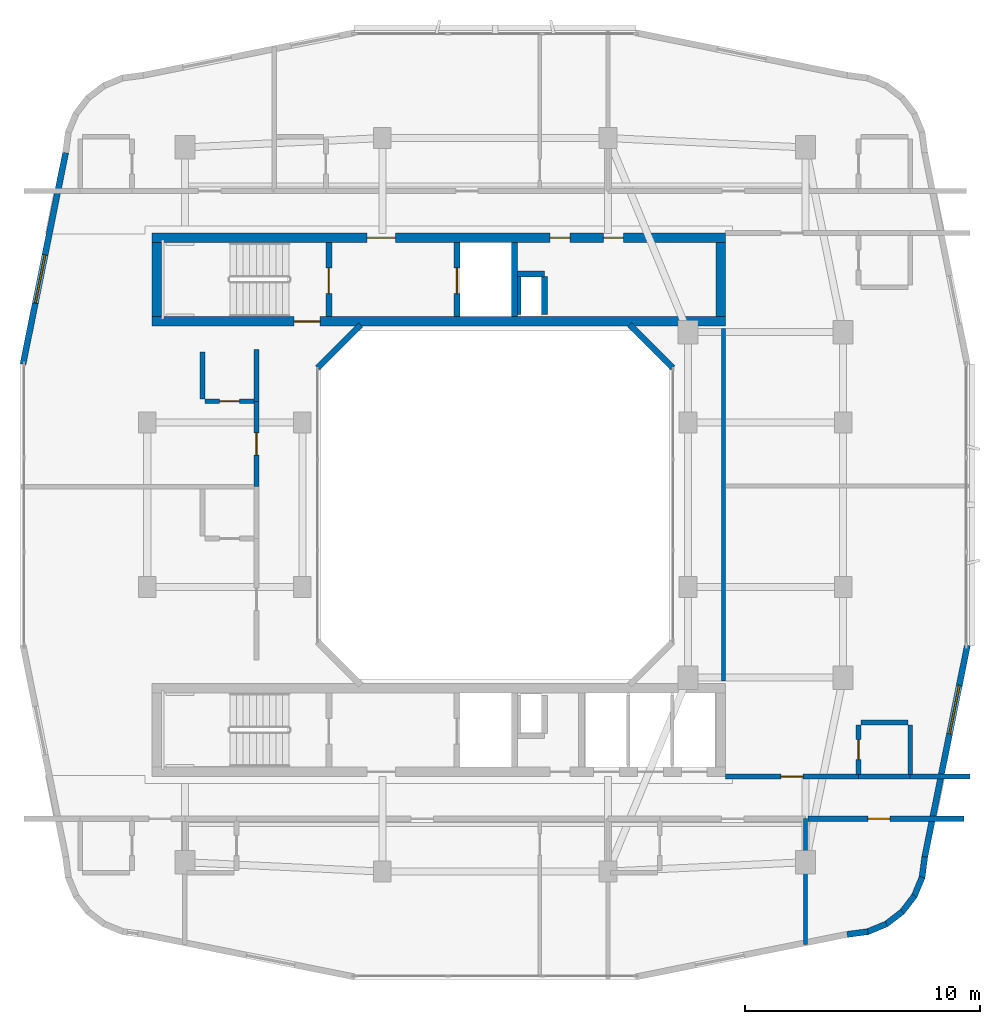
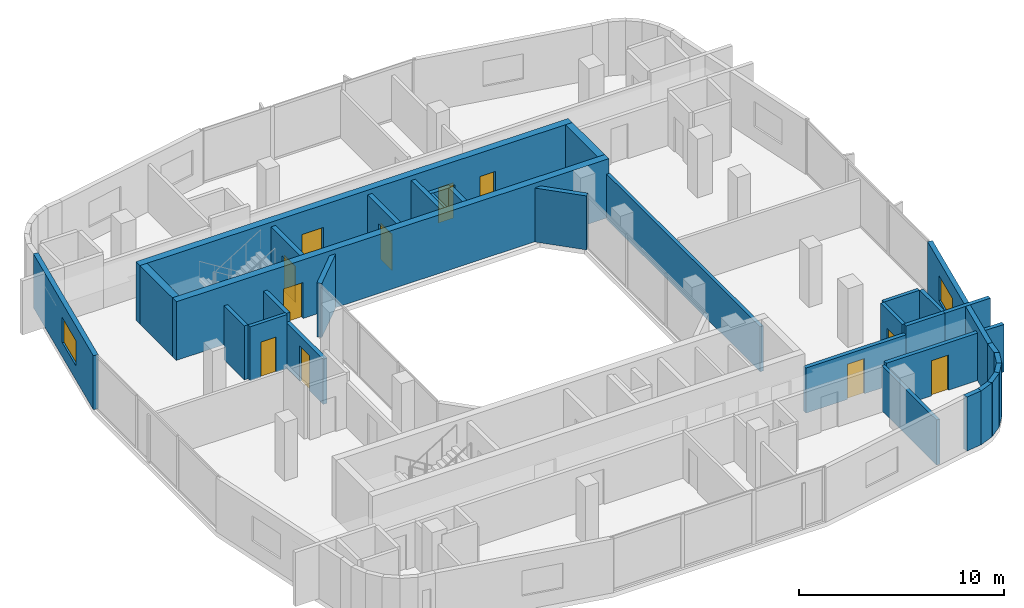
# One storey, part 8 of 14: 33 walls, 11 doors, 2 windows, 13 openings.
"""IFC4 building model written with IfcOpenShell, lengths in metres."""

from ifc_helpers import new_model, si_unit, derived_unit, direction, frame, frame_2d, origin, place, context, subcontext, project, spatial, rectangle, extrude, material, layer, layer_set, type_object, element, fill, save


model = new_model("IFC4")

# Units and contexts
model_context = context("Model", 3, precision=1e-05, world=origin(), true_north=direction((0.0, 1.0)))
body_context = subcontext(model_context, "Body", "Model", "MODEL_VIEW")
ifc_project = project(units=[si_unit("LENGTHUNIT", "METRE"), si_unit("AREAUNIT", "SQUARE_METRE"), si_unit("VOLUMEUNIT", "CUBIC_METRE"), si_unit("PLANEANGLEUNIT", "RADIAN"), si_unit("MASSUNIT", "GRAM", prefix="KILO"), derived_unit("THERMALTRANSMITTANCEUNIT", [(si_unit("POWERUNIT", "WATT"), 1), (si_unit("LENGTHUNIT", "METRE"), -2), (si_unit("THERMODYNAMICTEMPERATUREUNIT", "KELVIN"), -1)])], contexts=[model_context])

# Site, building, storey
site_placement = place(None, origin())
site = spatial("IfcSite", under=ifc_project, at=site_placement, CompositionType="ELEMENT")
building_placement = place(site_placement, origin())
building = spatial("IfcBuilding", under=site, at=building_placement, Name="Kivonza Crest Hotel", CompositionType="ELEMENT")
storey_placement = place(building_placement, frame((0.0, 0.0, 138.0)))
storey = spatial("IfcBuildingStorey", under=building, at=storey_placement, Name="L37", CompositionType="ELEMENT", Elevation=138.0)

# Walls
ifc_material_1 = material(Name="High-density acoustic masonry inter-tenancy wall", Category="masonry")
ifc_layer_1 = layer(ifc_material_1, 0.179931640625)
ifc_layer_set_1 = layer_set([ifc_layer_1], Name="High-density acoustic masonry inter-tenancy wall")
wall_type_1 = type_object("IfcWallType", Name="WL-ACOU-180", PredefinedType="SOLIDWALL", material=ifc_layer_set_1)
wall_1_placement = place(storey_placement, frame((34.199951171875, 6.299072265625, 0.0), z_axis=(0.0, 0.0, 1.0), x_axis=(0.0, 1.0, 0.0)))
element("IfcWall", 1, at=wall_1_placement, inside=storey, type_object=wall_type_1, Name="L37 interior partition WA-L37-T1S-DIV3", PredefinedType="SOLIDWALL", context=body_context, shape_type="SweptSolid", body=[
    extrude(rectangle(XDim=5.350830078125, YDim=0.179931640625, at=frame_2d((2.67529296875, 0.0))), origin(), (0.0, 0.0, 1.0), 2.695068359375),
])
wall_2_placement = place(storey_placement, frame((30.7099609375, 17.5, 0.0), z_axis=(0.0, 0.0, 1.0), x_axis=(0.0, 1.0, 0.0)))
element("IfcWall", 2, at=wall_2_placement, inside=storey, type_object=wall_type_1, Name="L37 interior partition WA-L37-T1EC-W", PredefinedType="SOLIDWALL", context=body_context, shape_type="SweptSolid", body=[
    extrude(rectangle(XDim=15.0, YDim=0.179931640625, at=frame_2d((7.5, 0.0))), origin(), (0.0, 0.0, 1.0), 2.695068359375),
])

# Wall, opening, door
ifc_material_2 = material(Name="Autoclaved aerated concrete blockwork", Category="masonry")
ifc_layer_2 = layer(ifc_material_2, 0.219970703125)
ifc_layer_set_2 = layer_set([ifc_layer_2], Name="Autoclaved aerated concrete blockwork")
wall_type_2 = type_object("IfcWallType", Name="WL-ACOU-220", PredefinedType="SOLIDWALL", material=ifc_layer_set_2)
wall_3_placement = place(storey_placement, frame((34.300048828125, 11.64990234375, 0.0), z_axis=(0.0, 0.0, 1.0), x_axis=(1.0, 0.0, 0.0)))
wall_3 = element("IfcWall", 3, at=wall_3_placement, inside=storey, type_object=wall_type_2, Name="L37 interior partition WA-L37-BUS-MTG-N", PredefinedType="SOLIDWALL", context=body_context, shape_type="SweptSolid", body=[
    extrude(rectangle(XDim=6.639892578125, YDim=0.219970703125, at=frame_2d((3.31982421875, 0.0))), origin(), (0.0, 0.0, 1.0), 2.8349609375),
])
opening_1_placement = place(wall_3_placement, frame((2.550048828125, 0.0, 0.0)))
opening_1 = element("IfcOpeningElement", 4, at=opening_1_placement, cuts=wall_3, Name="Opening DF-60S", PredefinedType="OPENING", context=body_context, shape_type="SweptSolid", body=[
    extrude(rectangle(XDim=0.949951171875, YDim=2.10009765625, at=frame_2d((0.47509765625, 1.050048828125))), frame((0.0, 0.1201171875, 0.0), z_axis=(0.0, -1.0, 0.0), x_axis=(1.0, 0.0, 0.0)), (0.0, 0.0, 1.0), 0.239990234375),
])
ifc_material_3 = material(Name="Hardwood timber oak", Category="wood")
door_type_1 = type_object("IfcDoorType", Name="DR-FD60-950", OperationType="NOTDEFINED", PredefinedType="DOOR", material=ifc_material_3)
door_1_placement = place(opening_1_placement, frame((0.949951171875, 0.0, 0.0), z_axis=(0.0, 0.0, 1.0), x_axis=(-1.0, 0.0, 0.0)))
door_1 = element("IfcDoor", 5, at=door_1_placement, inside=storey, type_object=door_type_1, Name="L37 Floor Conference Boardroom door", OperationType="SINGLE_SWING_RIGHT", OverallHeight=2.10009765625, OverallWidth=0.949951171875, PredefinedType="DOOR", context=body_context, shape_type="SweptSolid", body=[
    extrude(rectangle(XDim=0.949951171875, YDim=2.10009765625, at=frame_2d((0.47509765625, 1.050048828125))), frame((0.0, 0.02490234375, 0.0), z_axis=(0.0, -1.0, 0.0), x_axis=(1.0, 0.0, 0.0)), (0.0, 0.0, 1.0), 0.050048828125),
])
fill(opening_1, door_1)

# Wall
wall_4_placement = place(storey_placement, frame((10.85009765625, 29.39990234375, 0.0), z_axis=(0.0, 0.0, 1.0), x_axis=(0.0, 1.0, 0.0)))
element("IfcWall", 6, at=wall_4_placement, inside=storey, type_object=wall_type_2, Name="L37 interior partition WA-L37-W08-BCORR", PredefinedType="SOLIDWALL", context=body_context, shape_type="SweptSolid", body=[
    extrude(rectangle(XDim=2.2001953125, YDim=0.219970703125, at=frame_2d((1.10009765625, 0.0))), origin(), (0.0, 0.0, 1.0), 3.219970703125),
])

# Wall, opening, door
wall_5_placement = place(storey_placement, frame((10.85009765625, 25.77001953125, 0.0), z_axis=(0.0, 0.0, 1.0), x_axis=(0.0, 1.0, 0.0)))
wall_5 = element("IfcWall", 7, at=wall_5_placement, inside=storey, type_object=wall_type_2, Name="L37 interior partition WA-L37-W08-MCORR", PredefinedType="SOLIDWALL", context=body_context, shape_type="SweptSolid", body=[
    extrude(rectangle(XDim=3.6298828125, YDim=0.219970703125, at=frame_2d((1.81494140625, 0.0))), origin(), (0.0, 0.0, 1.0), 2.695068359375),
])
opening_2_placement = place(wall_5_placement, frame((1.340087890625, 0.0, 0.0)))
opening_2 = element("IfcOpeningElement", 8, at=opening_2_placement, cuts=wall_5, Name="Opening DU-60", PredefinedType="OPENING", context=body_context, shape_type="SweptSolid", body=[
    extrude(rectangle(XDim=0.949951171875, YDim=2.10009765625, at=frame_2d((0.47509765625, 1.050048828125))), frame((0.0, 0.1201171875, 0.0), z_axis=(0.0, -1.0, 0.0), x_axis=(1.0, 0.0, 0.0)), (0.0, 0.0, 1.0), 0.239990234375),
])
door_type_2 = type_object("IfcDoorType", Name="DR-UNIT-950", OperationType="NOTDEFINED", PredefinedType="DOOR", material=ifc_material_3)
door_2_placement = place(opening_2_placement, origin())
door_2 = element("IfcDoor", 9, at=door_2_placement, inside=storey, type_object=door_type_2, Name="L37 W08 guest unit entrance fire door", OperationType="SINGLE_SWING_RIGHT", OverallHeight=2.10009765625, OverallWidth=0.949951171875, PredefinedType="DOOR", context=body_context, shape_type="SweptSolid", body=[
    extrude(rectangle(XDim=0.949951171875, YDim=2.10009765625, at=frame_2d((0.47509765625, 1.050048828125))), frame((0.0, 0.02490234375, 0.0), z_axis=(0.0, -1.0, 0.0), x_axis=(1.0, 0.0, 0.0)), (0.0, 0.0, 1.0), 0.050048828125),
])
fill(opening_2, door_2)

# Walls
wall_6_placement = place(storey_placement, frame((38.64990234375, 13.43994140625, 0.0), z_axis=(0.0, 0.0, 1.0), x_axis=(1.0, 0.0, 0.0)))
element("IfcWall", 10, at=wall_6_placement, inside=storey, type_object=wall_type_2, Name="L37 interior partition WA-L37-ES09-XCORR", PredefinedType="SOLIDWALL", context=body_context, shape_type="SweptSolid", body=[
    extrude(rectangle(XDim=2.550048828125, YDim=0.219970703125, at=frame_2d((1.27490234375, 0.0))), origin(), (0.0, 0.0, 1.0), 3.219970703125),
])
wall_7_placement = place(storey_placement, frame((36.449951171875, 13.43994140625, 0.0), z_axis=(0.0, 0.0, 1.0), x_axis=(1.0, 0.0, 0.0)))
element("IfcWall", 11, at=wall_7_placement, inside=storey, type_object=wall_type_2, Name="L37 interior partition WA-L37-ES09-BCORR", PredefinedType="SOLIDWALL", context=body_context, shape_type="SweptSolid", body=[
    extrude(rectangle(XDim=2.199951171875, YDim=0.219970703125, at=frame_2d((1.10009765625, 0.0))), origin(), (0.0, 0.0, 1.0), 3.219970703125),
])

# Wall, opening, door
wall_8_placement = place(storey_placement, frame((30.800048828125, 13.43994140625, 0.0), z_axis=(0.0, 0.0, 1.0), x_axis=(1.0, 0.0, 0.0)))
wall_8 = element("IfcWall", 12, at=wall_8_placement, inside=storey, type_object=wall_type_2, Name="L37 interior partition WA-L37-ES09-MCORR", PredefinedType="SOLIDWALL", context=body_context, shape_type="SweptSolid", body=[
    extrude(rectangle(XDim=5.64990234375, YDim=0.219970703125, at=frame_2d((2.824951171875, 0.0))), origin(), (0.0, 0.0, 1.0), 2.695068359375),
])
opening_3_placement = place(wall_8_placement, frame((2.35009765625, 0.0, 0.0)))
opening_3 = element("IfcOpeningElement", 13, at=opening_3_placement, cuts=wall_8, Name="Opening DU-60", PredefinedType="OPENING", context=body_context, shape_type="SweptSolid", body=[
    extrude(rectangle(XDim=0.949951171875, YDim=2.10009765625, at=frame_2d((0.47509765625, 1.050048828125))), frame((0.0, 0.1201171875, 0.0), z_axis=(0.0, -1.0, 0.0), x_axis=(1.0, 0.0, 0.0)), (0.0, 0.0, 1.0), 0.239990234375),
])
door_3_placement = place(opening_3_placement, origin())
door_3 = element("IfcDoor", 14, at=door_3_placement, inside=storey, type_object=door_type_2, Name="L37 ES09 guest unit entrance fire door", OperationType="SINGLE_SWING_RIGHT", OverallHeight=2.10009765625, OverallWidth=0.949951171875, PredefinedType="DOOR", context=body_context, shape_type="SweptSolid", body=[
    extrude(rectangle(XDim=0.949951171875, YDim=2.10009765625, at=frame_2d((0.47509765625, 1.050048828125))), frame((0.0, 0.02490234375, 0.0), z_axis=(0.0, -1.0, 0.0), x_axis=(1.0, 0.0, 0.0)), (0.0, 0.0, 1.0), 0.050048828125),
])
fill(opening_3, door_3)

ifc_material_4 = material(Name="Concrete C50/60", Category="concrete")
ifc_layer_3 = layer(ifc_material_4, 0.39990234375)
ifc_layer_set_3 = layer_set([ifc_layer_3], Name="Concrete C50/60")
wall_type_3 = type_object("IfcWallType", Name="WL-CORE-400", PredefinedType="SHEAR", material=ifc_layer_set_3)
wall_9_placement = place(storey_placement, frame((6.39990234375, 32.800048828125, 0.0), z_axis=(0.0, 0.0, 1.0), x_axis=(1.0, 0.0, 0.0)))
wall_9 = element("IfcWall", 15, at=wall_9_placement, inside=storey, type_object=wall_type_3, Name="Core wall T1-N South L37", PredefinedType="SHEAR", context=body_context, shape_type="SweptSolid", body=[
    extrude(rectangle(XDim=24.400146484375, YDim=0.39990234375, at=frame_2d((12.2001953125, 0.0))), origin(), (0.0, 0.0, 1.0), 3.5),
])
opening_4_placement = place(wall_9_placement, frame((6.050048828125, 0.0, 0.0)))
opening_4 = element("IfcOpeningElement", 16, at=opening_4_placement, cuts=wall_9, Name="Opening DF-120", PredefinedType="OPENING", context=body_context, shape_type="SweptSolid", body=[
    extrude(rectangle(XDim=1.10009765625, YDim=2.14990234375, at=frame_2d((0.550048828125, 1.074951171875))), frame((0.0, 0.2099609375, 0.0), z_axis=(0.0, -1.0, 0.0), x_axis=(1.0, 0.0, 0.0)), (0.0, 0.0, 1.0), 0.419921875),
])
ifc_material_5 = material(Name="Galvanised steel", Category="steel")
door_type_3 = type_object("IfcDoorType", Name="DR-FD120-1100", OperationType="NOTDEFINED", PredefinedType="DOOR", material=ifc_material_5)
door_4_placement = place(opening_4_placement, origin())
door_4 = element("IfcDoor", 17, at=door_4_placement, inside=storey, type_object=door_type_3, Name="L37 West corridor stair access fire door", OperationType="SINGLE_SWING_LEFT", OverallHeight=2.14990234375, OverallWidth=1.10009765625, PredefinedType="DOOR", context=body_context, shape_type="SweptSolid", body=[
    extrude(rectangle(XDim=1.10009765625, YDim=2.14990234375, at=frame_2d((0.550048828125, 1.074951171875))), frame((0.0, 0.02490234375, 0.0), z_axis=(0.0, -1.0, 0.0), x_axis=(1.0, 0.0, 0.0)), (0.0, 0.0, 1.0), 0.050048828125),
])
fill(opening_4, door_4)

# Wall, openings, doors
wall_10_placement = place(storey_placement, frame((6.39990234375, 36.360107421875, 0.0), z_axis=(0.0, 0.0, 1.0), x_axis=(1.0, 0.0, 0.0)))
wall_10 = element("IfcWall", 18, at=wall_10_placement, inside=storey, type_object=wall_type_3, Name="Core wall T1-N North L37", PredefinedType="SHEAR", context=body_context, shape_type="SweptSolid", body=[
    extrude(rectangle(XDim=24.400146484375, YDim=0.39990234375, at=frame_2d((12.2001953125, 0.0))), origin(), (0.0, 0.0, 1.0), 3.5),
])
opening_5_placement = place(wall_10_placement, frame((9.14990234375, 0.0, 0.0)))
opening_5 = element("IfcOpeningElement", 19, at=opening_5_placement, cuts=wall_10, Name="Opening DF-60", PredefinedType="OPENING", context=body_context, shape_type="SweptSolid", body=[
    extrude(rectangle(XDim=1.199951171875, YDim=2.14990234375, at=frame_2d((0.60009765625, 1.074951171875))), frame((0.0, 0.2099609375, 0.0), z_axis=(0.0, -1.0, 0.0), x_axis=(1.0, 0.0, 0.0)), (0.0, 0.0, 1.0), 0.419921875),
])
opening_6_placement = place(wall_10_placement, frame((19.199951171875, 0.0, 0.0)))
opening_6 = element("IfcOpeningElement", 20, at=opening_6_placement, cuts=wall_10, Name="Opening DF-60R", PredefinedType="OPENING", context=body_context, shape_type="SweptSolid", body=[
    extrude(rectangle(XDim=0.85009765625, YDim=2.10009765625, at=frame_2d((0.425048828125, 1.050048828125))), frame((0.0, 0.2099609375, 0.0), z_axis=(0.0, -1.0, 0.0), x_axis=(1.0, 0.0, 0.0)), (0.0, 0.0, 1.0), 0.419921875),
])
opening_7_placement = place(wall_10_placement, frame((16.93994140625, 0.0, 0.0)))
opening_7 = element("IfcOpeningElement", 21, at=opening_7_placement, cuts=wall_10, Name="Opening DF-60R", PredefinedType="OPENING", context=body_context, shape_type="SweptSolid", body=[
    extrude(rectangle(XDim=0.85009765625, YDim=2.10009765625, at=frame_2d((0.425048828125, 1.050048828125))), frame((0.0, 0.2099609375, 0.0), z_axis=(0.0, -1.0, 0.0), x_axis=(1.0, 0.0, 0.0)), (0.0, 0.0, 1.0), 0.419921875),
])
door_type_4 = type_object("IfcDoorType", Name="DR-FD60-1200", OperationType="NOTDEFINED", PredefinedType="DOOR", material=ifc_material_3)
door_5_placement = place(opening_5_placement, origin())
door_5 = element("IfcDoor", 22, at=door_5_placement, inside=storey, type_object=door_type_4, Name="L37 T1-N firefighting lobby fire door", OperationType="SINGLE_SWING_RIGHT", OverallHeight=2.14990234375, OverallWidth=1.199951171875, PredefinedType="DOOR", context=body_context, shape_type="SweptSolid", body=[
    extrude(rectangle(XDim=1.199951171875, YDim=2.14990234375, at=frame_2d((0.60009765625, 1.074951171875))), frame((0.0, 0.02490234375, 0.0), z_axis=(0.0, -1.0, 0.0), x_axis=(1.0, 0.0, 0.0)), (0.0, 0.0, 1.0), 0.050048828125),
])
fill(opening_5, door_5)
door_type_5 = type_object("IfcDoorType", Name="DR-FD60-850", OperationType="NOTDEFINED", PredefinedType="DOOR", material=ifc_material_3)
door_6_placement = place(opening_6_placement, origin())
door_6 = element("IfcDoor", 23, at=door_6_placement, inside=storey, type_object=door_type_5, Name="L37 T1-N reclaimed core service door", OperationType="SINGLE_SWING_LEFT", OverallHeight=2.10009765625, OverallWidth=0.85009765625, PredefinedType="DOOR", context=body_context, shape_type="SweptSolid", body=[
    extrude(rectangle(XDim=0.85009765625, YDim=2.10009765625, at=frame_2d((0.425048828125, 1.050048828125))), frame((0.0, 0.02490234375, 0.0), z_axis=(0.0, -1.0, 0.0), x_axis=(1.0, 0.0, 0.0)), (0.0, 0.0, 1.0), 0.050048828125),
])
fill(opening_6, door_6)
door_7_placement = place(opening_7_placement, origin())
door_7 = element("IfcDoor", 24, at=door_7_placement, inside=storey, type_object=door_type_5, Name="L37 T1-N core room door", OperationType="SINGLE_SWING_RIGHT", OverallHeight=2.10009765625, OverallWidth=0.85009765625, PredefinedType="DOOR", context=body_context, shape_type="SweptSolid", body=[
    extrude(rectangle(XDim=0.85009765625, YDim=2.10009765625, at=frame_2d((0.425048828125, 1.050048828125))), frame((0.0, 0.02490234375, 0.0), z_axis=(0.0, -1.0, 0.0), x_axis=(1.0, 0.0, 0.0)), (0.0, 0.0, 1.0), 0.050048828125),
])
fill(opening_7, door_7)

# Walls
for number, where, z_axis, x_axis, name in (
    (25, (6.60009765625, 33.0, 0.0), (0.0, 0.0, 1.0), (0.0, 1.0, 0.0), "Core wall T1-N West L37"),
    (26, (30.60009765625, 33.0, 0.0), (0.0, 0.0, 1.0), (0.0, 1.0, 0.0), "Core wall T1-N East L37"),
):
    element("IfcWall", number, at=place(storey_placement, frame(where, z_axis=z_axis, x_axis=x_axis)), inside=storey, type_object=wall_type_3, Name=name, PredefinedType="SHEAR", context=body_context, shape_type="SweptSolid", body=[
        extrude(rectangle(XDim=3.159912109375, YDim=0.39990234375, at=frame_2d((1.580078125, 0.0))), origin(), (0.0, 0.0, 1.0), 3.5),
    ])
ifc_material_6 = material(Name="Precast concrete C40/50", Category="concrete")
ifc_layer_4 = layer(ifc_material_6, 0.260009765625)
ifc_layer_set_4 = layer_set([ifc_layer_4], Name="Precast concrete C40/50")
wall_type_4 = type_object("IfcWallType", Name="WL-EXT-260", PredefinedType="STANDARD", material=ifc_layer_set_4)
wall_11_placement = place(storey_placement, frame((35.97509765625, 6.72802734375, 0.0), z_axis=(0.0, 0.0, 1.0), x_axis=(0.991388484223, 0.130953706898, 0.0)))
element("IfcWall", 27, at=wall_11_placement, inside=storey, type_object=wall_type_4, Name="L37 T1 exterior insulated wall 10", PredefinedType="STANDARD", context=body_context, shape_type="SweptSolid", body=[
    extrude(rectangle(XDim=0.885498046875, YDim=0.260009765625, at=frame_2d((0.44287109375, 0.0))), origin(), (0.0, 0.0, 1.0), 3.219970703125),
])
wall_12_placement = place(storey_placement, frame((36.806884765625, 6.825927734375, 0.0), z_axis=(0.0, 0.0, 1.0), x_axis=(0.923627776508, 0.383290660547, 0.0)))
element("IfcWall", 28, at=wall_12_placement, inside=storey, type_object=wall_type_4, Name="L37 T1 exterior insulated wall 11", PredefinedType="STANDARD", context=body_context, shape_type="SweptSolid", body=[
    extrude(rectangle(XDim=0.9033203125, YDim=0.260009765625, at=frame_2d((0.45166015625, 0.0))), origin(), (0.0, 0.0, 1.0), 3.219970703125),
])
wall_13_placement = place(storey_placement, frame((37.60107421875, 7.14404296875, 0.0), z_axis=(0.0, 0.0, 1.0), x_axis=(0.793458244748, 0.608624690463, 0.0)))
element("IfcWall", 29, at=wall_13_placement, inside=storey, type_object=wall_type_4, Name="L37 T1 exterior insulated wall 12", PredefinedType="STANDARD", context=body_context, shape_type="SweptSolid", body=[
    extrude(rectangle(XDim=0.902099609375, YDim=0.260009765625, at=frame_2d((0.451171875, 0.0))), origin(), (0.0, 0.0, 1.0), 3.219970703125),
])
wall_14_placement = place(storey_placement, frame((38.285888671875, 7.655029296875, 0.0), z_axis=(0.0, 0.0, 1.0), x_axis=(0.608494022858, 0.793558456666, 0.0)))
element("IfcWall", 30, at=wall_14_placement, inside=storey, type_object=wall_type_4, Name="L37 T1 exterior insulated wall 13", PredefinedType="STANDARD", context=body_context, shape_type="SweptSolid", body=[
    extrude(rectangle(XDim=0.90234375, YDim=0.260009765625, at=frame_2d((0.451171875, 0.0))), origin(), (0.0, 0.0, 1.0), 3.219970703125),
])
wall_15_placement = place(storey_placement, frame((38.81396484375, 8.326904296875, 0.0), z_axis=(0.0, 0.0, 1.0), x_axis=(0.383155708213, 0.923683767999, 0.0)))
element("IfcWall", 31, at=wall_15_placement, inside=storey, type_object=wall_type_4, Name="L37 T1 exterior insulated wall 14", PredefinedType="STANDARD", context=body_context, shape_type="SweptSolid", body=[
    extrude(rectangle(XDim=0.90283203125, YDim=0.260009765625, at=frame_2d((0.451416015625, 0.0))), origin(), (0.0, 0.0, 1.0), 3.219970703125),
])
wall_16_placement = place(storey_placement, frame((39.152099609375, 9.112060546875, 0.0), z_axis=(0.0, 0.0, 1.0), x_axis=(0.130200706103, 0.991487658083, 0.0)))
element("IfcWall", 32, at=wall_16_placement, inside=storey, type_object=wall_type_4, Name="L37 T1 exterior insulated wall 15", PredefinedType="STANDARD", context=body_context, shape_type="SweptSolid", body=[
    extrude(rectangle(XDim=0.920654296875, YDim=0.260009765625, at=frame_2d((0.46044921875, 0.0))), origin(), (0.0, 0.0, 1.0), 3.219970703125),
])

# Wall, opening, window
wall_17_placement = place(storey_placement, frame((39.27099609375, 10.01806640625, 0.0), z_axis=(0.0, 0.0, 1.0), x_axis=(0.197435082048, 0.980315963543, 0.0)))
wall_17 = element("IfcWall", 33, at=wall_17_placement, inside=storey, type_object=wall_type_4, Name="L37 T1 exterior insulated wall 16", PredefinedType="STANDARD", context=body_context, shape_type="SweptSolid", body=[
    extrude(rectangle(XDim=9.1826171875, YDim=0.260009765625, at=frame_2d((4.59130859375, 0.0))), origin(), (0.0, 0.0, 1.0), 3.219970703125),
])
opening_8_placement = place(wall_17_placement, frame((5.34912109375, 0.0, 0.85009765625)))
opening_8 = element("IfcOpeningElement", 34, at=opening_8_placement, cuts=wall_17, Name="Opening WN-04", PredefinedType="OPENING", context=body_context, shape_type="SweptSolid", body=[
    extrude(rectangle(XDim=2.10009765625, YDim=1.5, at=frame_2d((1.050048828125, 0.75))), frame((0.0, 0.14013671875, 0.0), z_axis=(0.0, -1.0, 0.0), x_axis=(1.0, 0.0, 0.0)), (0.0, 0.0, 1.0), 0.280029296875),
])
ifc_material_7 = material(Name="Thermally broken bronze aluminium and low-E double glazing", Category="aluminium")
window_type = type_object("IfcWindowType", Name="WN-210x150", PartitioningType="DOUBLE_PANEL_VERTICAL", PredefinedType="WINDOW", material=ifc_material_7)
window_1_placement = place(opening_8_placement, origin())
window_1 = element("IfcWindow", 35, at=window_1_placement, inside=storey, type_object=window_type, Name="L37 T1 facade window 16", OverallHeight=1.5, OverallWidth=2.10009765625, PartitioningType="SINGLE_PANEL", PredefinedType="WINDOW", context=body_context, shape_type="SweptSolid", body=[
    extrude(rectangle(XDim=2.10009765625, YDim=1.5, at=frame_2d((1.050048828125, 0.75))), frame((0.0, 0.030029296875, 0.0), z_axis=(0.0, -1.0, 0.0), x_axis=(1.0, 0.0, 0.0)), (0.0, 0.0, 1.0), 0.06005859375),
])
fill(opening_8, window_1)

wall_18_placement = place(storey_placement, frame((2.72900390625, 39.98193359375, 0.0), z_axis=(0.0, 0.0, 1.0), x_axis=(-0.197435082048, -0.980315963543, 0.0)))
wall_18 = element("IfcWall", 36, at=wall_18_placement, inside=storey, type_object=wall_type_4, Name="L37 T1 exterior insulated wall 34", PredefinedType="STANDARD", context=body_context, shape_type="SweptSolid", body=[
    extrude(rectangle(XDim=9.1826171875, YDim=0.260009765625, at=frame_2d((4.59130859375, 0.0))), origin(), (0.0, 0.0, 1.0), 3.219970703125),
])
opening_9_placement = place(wall_18_placement, frame((4.43603515625, 0.0, 0.85009765625)))
opening_9 = element("IfcOpeningElement", 37, at=opening_9_placement, cuts=wall_18, Name="Opening WN-04", PredefinedType="OPENING", context=body_context, shape_type="SweptSolid", body=[
    extrude(rectangle(XDim=2.10009765625, YDim=1.5, at=frame_2d((1.050048828125, 0.75))), frame((0.0, 0.14013671875, 0.0), z_axis=(0.0, -1.0, 0.0), x_axis=(1.0, 0.0, 0.0)), (0.0, 0.0, 1.0), 0.280029296875),
])
window_2_placement = place(opening_9_placement, origin())
window_2 = element("IfcWindow", 38, at=window_2_placement, inside=storey, type_object=window_type, Name="L37 T1 facade window 34", OverallHeight=1.5, OverallWidth=2.10009765625, PartitioningType="SINGLE_PANEL", PredefinedType="WINDOW", context=body_context, shape_type="SweptSolid", body=[
    extrude(rectangle(XDim=2.10009765625, YDim=1.5, at=frame_2d((1.050048828125, 0.75))), frame((0.0, 0.030029296875, 0.0), z_axis=(0.0, -1.0, 0.0), x_axis=(1.0, 0.0, 0.0)), (0.0, 0.0, 1.0), 0.06005859375),
])
fill(opening_9, window_2)

# Walls
for number, where, z_axis, x_axis, name in (
    (39, (28.555908203125, 30.827880859375, 0.0), (0.0, 0.0, 1.0), (-0.707059717605, 0.707153841636, 0.0), "L37 T1 light-well exterior wall 4"),
    (40, (15.278076171875, 32.662109375, 0.0), (0.0, 0.0, 1.0), (-0.707059717605, -0.707153841636, 0.0), "L37 T1 light-well exterior wall 6"),
):
    element("IfcWall", number, at=place(storey_placement, frame(where, z_axis=z_axis, x_axis=x_axis)), inside=storey, type_object=wall_type_4, Name=name, PredefinedType="STANDARD", context=body_context, shape_type="SweptSolid", body=[
        extrude(rectangle(XDim=2.59375, YDim=0.260009765625, at=frame_2d((1.296875, 0.0))), origin(), (0.0, 0.0, 1.0), 3.219970703125),
    ])
ifc_material_8 = material(Name="Concrete blockwork fire-compartment wall", Category="masonry")
ifc_layer_5 = layer(ifc_material_8, 0.25)
ifc_layer_set_5 = layer_set([ifc_layer_5], Name="Concrete blockwork fire-compartment wall")
wall_type_5 = type_object("IfcWallType", Name="WL-FIRE-250", PredefinedType="SOLIDWALL", material=ifc_layer_set_5)
wall_19_placement = place(storey_placement, frame((23.10009765625, 33.10009765625, 0.0), z_axis=(0.0, 0.0, 1.0), x_axis=(0.0, 1.0, 0.0)))
element("IfcWall", 41, at=wall_19_placement, inside=storey, type_object=wall_type_5, Name="L37 interior partition WA-L37-T1-N-MEPR-E", PredefinedType="SOLIDWALL", context=body_context, shape_type="SweptSolid", body=[
    extrude(rectangle(XDim=1.619873046875, YDim=0.25, at=frame_2d((0.81005859375, 0.0))), origin(), (0.0, 0.0, 1.0), 3.219970703125),
])
wall_20_placement = place(storey_placement, frame((21.949951171875, 34.820068359375, 0.0), z_axis=(0.0, 0.0, 1.0), x_axis=(1.0, 0.0, 0.0)))
element("IfcWall", 42, at=wall_20_placement, inside=storey, type_object=wall_type_5, Name="L37 interior partition WA-L37-T1-N-MEPR-H", PredefinedType="SOLIDWALL", context=body_context, shape_type="SweptSolid", body=[
    extrude(rectangle(XDim=1.150146484375, YDim=0.25, at=frame_2d((0.5751953125, 0.0))), origin(), (0.0, 0.0, 1.0), 3.219970703125),
])
ifc_material_9 = material(Name="Twin-stud acoustic gypsum board partition", Category="gypsum")
ifc_layer_6 = layer(ifc_material_9, 0.14990234375)
ifc_layer_set_6 = layer_set([ifc_layer_6], Name="Twin-stud acoustic gypsum board partition")
wall_type_6 = type_object("IfcWallType", Name="WL-PART-150", PredefinedType="PARTITIONING", material=ifc_layer_set_6)
wall_21_placement = place(storey_placement, frame((22.030029296875, 33.10009765625, 0.0), z_axis=(0.0, 0.0, 1.0), x_axis=(0.0, 1.0, 0.0)))
element("IfcWall", 43, at=wall_21_placement, inside=storey, type_object=wall_type_6, Name="L37 interior partition WA-L37-T1-N-MEPR-W", PredefinedType="PARTITIONING", context=body_context, shape_type="SweptSolid", body=[
    extrude(rectangle(XDim=1.619873046875, YDim=0.14990234375, at=frame_2d((0.81005859375, 0.0))), origin(), (0.0, 0.0, 1.0), 3.219970703125),
])

# Wall, opening, door
ifc_material_10 = material(Name="Moisture-resistant plumbing chase partition wall", Category="gypsum")
ifc_layer_7 = layer(ifc_material_10, 0.199951171875)
ifc_layer_set_7 = layer_set([ifc_layer_7], Name="Moisture-resistant plumbing chase partition wall")
wall_type_7 = type_object("IfcWallType", Name="WL-PLUMB-200", PredefinedType="PLUMBINGWALL", material=ifc_layer_set_7)
wall_22_placement = place(storey_placement, frame((8.64990234375, 29.39990234375, 0.0), z_axis=(0.0, 0.0, 1.0), x_axis=(1.0, 0.0, 0.0)))
wall_22 = element("IfcWall", 44, at=wall_22_placement, inside=storey, type_object=wall_type_7, Name="L37 interior partition WW-L37-W08-BH", PredefinedType="PLUMBINGWALL", context=body_context, shape_type="SweptSolid", body=[
    extrude(rectangle(XDim=2.10009765625, YDim=0.199951171875, at=frame_2d((1.050048828125, 0.0))), origin(), (0.0, 0.0, 1.0), 3.219970703125),
])
opening_10_placement = place(wall_22_placement, frame((0.625, 0.0, 0.0)))
opening_10 = element("IfcOpeningElement", 45, at=opening_10_placement, cuts=wall_22, Name="Opening DI-85", PredefinedType="OPENING", context=body_context, shape_type="SweptSolid", body=[
    extrude(rectangle(XDim=0.85009765625, YDim=2.10009765625, at=frame_2d((0.425048828125, 1.050048828125))), frame((0.0, 0.10986328125, 0.0), z_axis=(0.0, -1.0, 0.0), x_axis=(1.0, 0.0, 0.0)), (0.0, 0.0, 1.0), 0.219970703125),
])
door_type_6 = type_object("IfcDoorType", Name="DR-INT-850", OperationType="NOTDEFINED", PredefinedType="DOOR", material=ifc_material_3)
door_8_placement = place(opening_10_placement, frame((0.85009765625, 0.0, 0.0), z_axis=(0.0, 0.0, 1.0), x_axis=(-1.0, 0.0, 0.0)))
door_8 = element("IfcDoor", 46, at=door_8_placement, inside=storey, type_object=door_type_6, Name="L37 W08 en-suite bathroom door", OperationType="SINGLE_SWING_LEFT", OverallHeight=2.10009765625, OverallWidth=0.85009765625, PredefinedType="DOOR", context=body_context, shape_type="SweptSolid", body=[
    extrude(rectangle(XDim=0.85009765625, YDim=2.10009765625, at=frame_2d((0.425048828125, 1.050048828125))), frame((0.0, 0.02490234375, 0.0), z_axis=(0.0, -1.0, 0.0), x_axis=(1.0, 0.0, 0.0)), (0.0, 0.0, 1.0), 0.050048828125),
])
fill(opening_10, door_8)

# Wall
wall_23_placement = place(storey_placement, frame((8.550048828125, 29.5, 0.0), z_axis=(0.0, 0.0, 1.0), x_axis=(0.0, 1.0, 0.0)))
element("IfcWall", 47, at=wall_23_placement, inside=storey, type_object=wall_type_7, Name="L37 interior partition WW-L37-W08-BV", PredefinedType="PLUMBINGWALL", context=body_context, shape_type="SweptSolid", body=[
    extrude(rectangle(XDim=2.0, YDim=0.199951171875, at=frame_2d((1.0, 0.0))), origin(), (0.0, 0.0, 1.0), 3.219970703125),
])

# Wall, opening, door
wall_24_placement = place(storey_placement, frame((36.449951171875, 13.5400390625, 0.0), z_axis=(0.0, 0.0, 1.0), x_axis=(0.0, 1.0, 0.0)))
wall_24 = element("IfcWall", 48, at=wall_24_placement, inside=storey, type_object=wall_type_7, Name="L37 interior partition WW-L37-ES09-BV", PredefinedType="PLUMBINGWALL", context=body_context, shape_type="SweptSolid", body=[
    extrude(rectangle(XDim=2.099853515625, YDim=0.199951171875, at=frame_2d((1.0498046875, 0.0))), origin(), (0.0, 0.0, 1.0), 3.219970703125),
])
opening_11_placement = place(wall_24_placement, frame((0.625, 0.0, 0.0)))
opening_11 = element("IfcOpeningElement", 49, at=opening_11_placement, cuts=wall_24, Name="Opening DI-85", PredefinedType="OPENING", context=body_context, shape_type="SweptSolid", body=[
    extrude(rectangle(XDim=0.85009765625, YDim=2.10009765625, at=frame_2d((0.425048828125, 1.050048828125))), frame((0.0, 0.10986328125, 0.0), z_axis=(0.0, -1.0, 0.0), x_axis=(1.0, 0.0, 0.0)), (0.0, 0.0, 1.0), 0.219970703125),
])
door_9_placement = place(opening_11_placement, origin())
door_9 = element("IfcDoor", 50, at=door_9_placement, inside=storey, type_object=door_type_6, Name="L37 ES09 en-suite bathroom door", OperationType="SINGLE_SWING_LEFT", OverallHeight=2.10009765625, OverallWidth=0.85009765625, PredefinedType="DOOR", context=body_context, shape_type="SweptSolid", body=[
    extrude(rectangle(XDim=0.85009765625, YDim=2.10009765625, at=frame_2d((0.425048828125, 1.050048828125))), frame((0.0, 0.02490234375, 0.0), z_axis=(0.0, -1.0, 0.0), x_axis=(1.0, 0.0, 0.0)), (0.0, 0.0, 1.0), 0.050048828125),
])
fill(opening_11, door_9)

# Walls
wall_25_placement = place(storey_placement, frame((36.550048828125, 15.739990234375, 0.0), z_axis=(0.0, 0.0, 1.0), x_axis=(1.0, 0.0, 0.0)))
element("IfcWall", 51, at=wall_25_placement, inside=storey, type_object=wall_type_7, Name="L37 interior partition WW-L37-ES09-BH", PredefinedType="PLUMBINGWALL", context=body_context, shape_type="SweptSolid", body=[
    extrude(rectangle(XDim=2.0, YDim=0.199951171875, at=frame_2d((1.0, 0.0))), origin(), (0.0, 0.0, 1.0), 3.219970703125),
])
wall_26_placement = place(storey_placement, frame((38.64990234375, 13.5400390625, 0.0), z_axis=(0.0, 0.0, 1.0), x_axis=(0.0, 1.0, 0.0)))
element("IfcWall", 52, at=wall_26_placement, inside=storey, type_object=wall_type_7, Name="L37 interior partition WW-L37-ES09-BVE", PredefinedType="PLUMBINGWALL", context=body_context, shape_type="SweptSolid", body=[
    extrude(rectangle(XDim=2.099853515625, YDim=0.199951171875, at=frame_2d((1.0498046875, 0.0))), origin(), (0.0, 0.0, 1.0), 3.219970703125),
])

# Wall, opening, door
ifc_layer_8 = layer(ifc_material_4, 0.25)
ifc_layer_set_8 = layer_set([ifc_layer_8], Name="Concrete C50/60")
wall_type_8 = type_object("IfcWallType", Name="WL-SHAFT-250", PredefinedType="STANDARD", material=ifc_layer_set_8)
wall_27_placement = place(storey_placement, frame((13.925048828125, 33.0, 0.0), z_axis=(0.0, 0.0, 1.0), x_axis=(0.0, 1.0, 0.0)))
wall_27 = element("IfcWall", 53, at=wall_27_placement, inside=storey, type_object=wall_type_8, Name="Core shaft wall T1-N STAIR L37", PredefinedType="STANDARD", context=body_context, shape_type="SweptSolid", body=[
    extrude(rectangle(XDim=3.159912109375, YDim=0.25, at=frame_2d((1.580078125, 0.0))), origin(), (0.0, 0.0, 1.0), 3.219970703125),
])
opening_12_placement = place(wall_27_placement, frame((0.97998046875, 0.0, 0.0)))
opening_12 = element("IfcOpeningElement", 54, at=opening_12_placement, cuts=wall_27, Name="Opening DF-120", PredefinedType="OPENING", context=body_context, shape_type="SweptSolid", body=[
    extrude(rectangle(XDim=1.10009765625, YDim=2.14990234375, at=frame_2d((0.550048828125, 1.074951171875))), frame((0.0, 0.135009765625, 0.0), z_axis=(0.0, -1.0, 0.0), x_axis=(1.0, 0.0, 0.0)), (0.0, 0.0, 1.0), 0.27001953125),
])
door_10_placement = place(opening_12_placement, frame((1.10009765625, 0.0, 0.0), z_axis=(0.0, 0.0, 1.0), x_axis=(-1.0, 0.0, 0.0)))
door_10 = element("IfcDoor", 55, at=door_10_placement, inside=storey, type_object=door_type_3, Name="L37 T1-N stair fire door", OperationType="SINGLE_SWING_LEFT", OverallHeight=2.14990234375, OverallWidth=1.10009765625, PredefinedType="DOOR", context=body_context, shape_type="SweptSolid", body=[
    extrude(rectangle(XDim=1.10009765625, YDim=2.14990234375, at=frame_2d((0.550048828125, 1.074951171875))), frame((0.0, 0.02490234375, 0.0), z_axis=(0.0, -1.0, 0.0), x_axis=(1.0, 0.0, 0.0)), (0.0, 0.0, 1.0), 0.050048828125),
])
fill(opening_12, door_10)

wall_28_placement = place(storey_placement, frame((19.375, 33.0, 0.0), z_axis=(0.0, 0.0, 1.0), x_axis=(0.0, 1.0, 0.0)))
wall_28 = element("IfcWall", 56, at=wall_28_placement, inside=storey, type_object=wall_type_8, Name="Core shaft wall T1-N FFL-W L37", PredefinedType="STANDARD", context=body_context, shape_type="SweptSolid", body=[
    extrude(rectangle(XDim=3.159912109375, YDim=0.25, at=frame_2d((1.580078125, 0.0))), origin(), (0.0, 0.0, 1.0), 3.219970703125),
])
opening_13_placement = place(wall_28_placement, frame((0.97998046875, 0.0, 0.0)))
opening_13 = element("IfcOpeningElement", 57, at=opening_13_placement, cuts=wall_28, Name="Opening LD-120", PredefinedType="OPENING", context=body_context, shape_type="SweptSolid", body=[
    extrude(rectangle(XDim=1.10009765625, YDim=2.14990234375, at=frame_2d((0.550048828125, 1.074951171875))), frame((0.0, 0.135009765625, 0.0), z_axis=(0.0, -1.0, 0.0), x_axis=(1.0, 0.0, 0.0)), (0.0, 0.0, 1.0), 0.27001953125),
])
ifc_material_11 = material(Name="Stainless steel", Category="steel")
door_type_7 = type_object("IfcDoorType", Name="DR-LD120-1100", OperationType="NOTDEFINED", PredefinedType="DOOR", material=ifc_material_11)
door_11_placement = place(opening_13_placement, origin())
door_11 = element("IfcDoor", 58, at=door_11_placement, inside=storey, type_object=door_type_7, Name="L37 FFL-T1-N firefighting lift sliding landing door", OperationType="DOUBLE_DOOR_SLIDING", OverallHeight=2.14990234375, OverallWidth=1.10009765625, PredefinedType="DOOR", context=body_context, shape_type="SweptSolid", body=[
    extrude(rectangle(XDim=1.10009765625, YDim=2.14990234375, at=frame_2d((0.550048828125, 1.074951171875))), frame((0.0, 0.02490234375, 0.0), z_axis=(0.0, -1.0, 0.0), x_axis=(1.0, 0.0, 0.0)), (0.0, 0.0, 1.0), 0.050048828125),
])
fill(opening_13, door_11)

# Wall
wall_29_placement = place(storey_placement, frame((21.824951171875, 33.0, 0.0), z_axis=(0.0, 0.0, 1.0), x_axis=(0.0, 1.0, 0.0)))
element("IfcWall", 59, at=wall_29_placement, inside=storey, type_object=wall_type_8, Name="Core shaft wall T1-N FFL-E L37", PredefinedType="STANDARD", context=body_context, shape_type="SweptSolid", body=[
    extrude(rectangle(XDim=3.159912109375, YDim=0.25, at=frame_2d((1.580078125, 0.0))), origin(), (0.0, 0.0, 1.0), 3.219970703125),
])

save(model, "model.ifc")
